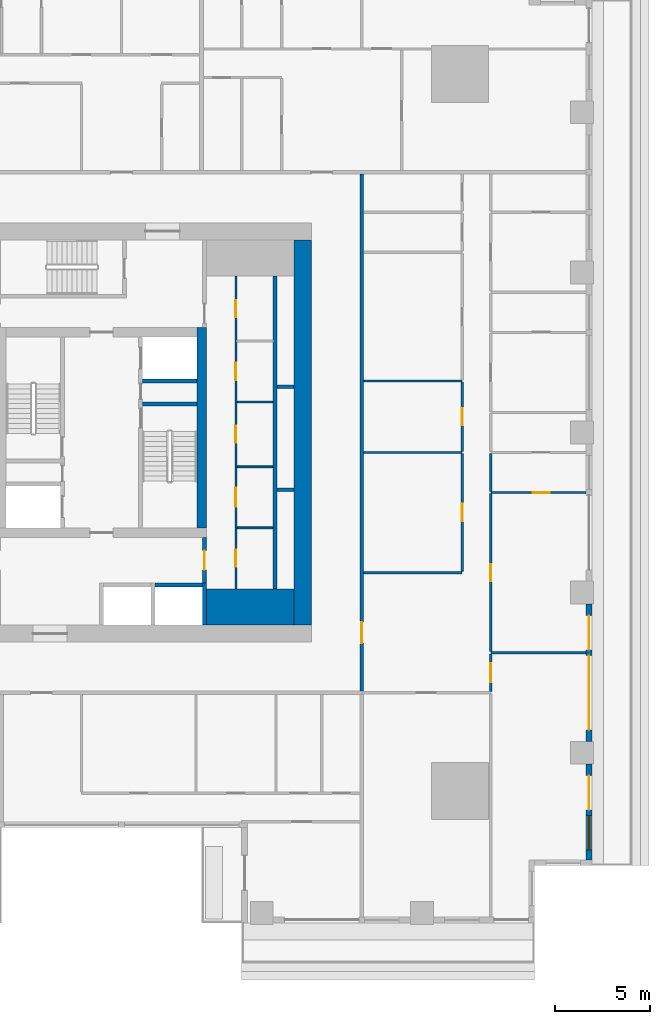
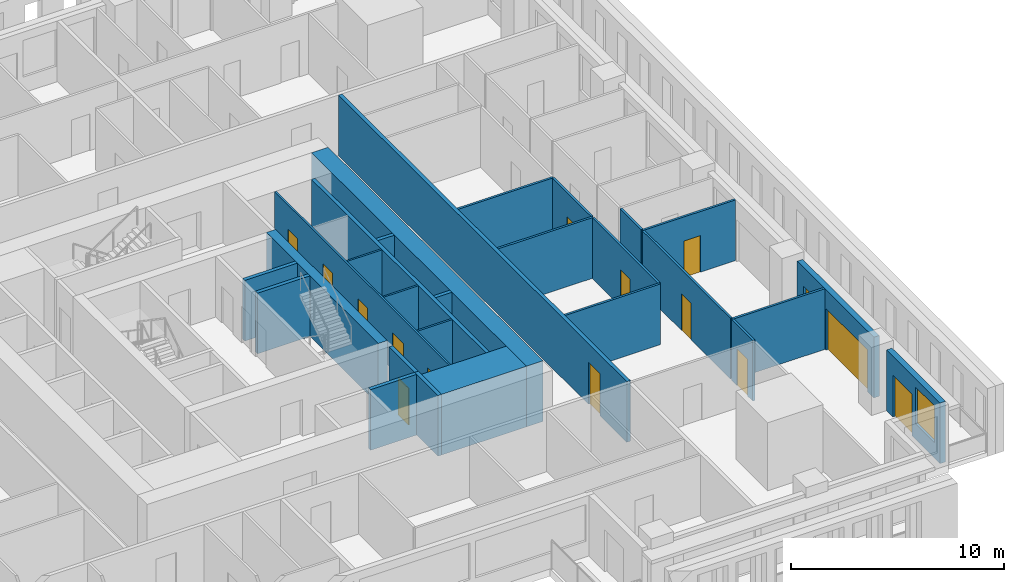
# One storey, part 5 of 15: 28 walls, 15 doors, 1 window, 16 openings.
"""IFC4 building model written with IfcOpenShell, lengths in metres."""

from ifc_helpers import new_model, si_unit, direction, frame, frame_2d, origin, place, context, subcontext, project, spatial, rectangle, extrude, material, layer, layer_set, type_object, element, fill, save


model = new_model("IFC4")

# Units and contexts
model_context = context("Model", 3, precision=1e-05, world=origin(), true_north=direction((0.0, 1.0)))
body_context = subcontext(model_context, "Body", "Model", "MODEL_VIEW")
ifc_project = project(units=[si_unit("LENGTHUNIT", "METRE"), si_unit("AREAUNIT", "SQUARE_METRE"), si_unit("VOLUMEUNIT", "CUBIC_METRE"), si_unit("PLANEANGLEUNIT", "RADIAN"), si_unit("MASSUNIT", "GRAM", prefix="KILO")], contexts=[model_context])

# Site, building, storey
site_placement = place(None, origin())
site = spatial("IfcSite", under=ifc_project, at=site_placement, CompositionType="ELEMENT")
building_placement = place(site_placement, origin())
building = spatial("IfcBuilding", under=site, at=building_placement, Name="Khepri Terraces", CompositionType="ELEMENT")
storey_placement = place(building_placement, frame((0.0, 0.0, 42.60009765625)))
storey = spatial("IfcBuildingStorey", under=building, at=storey_placement, Name="L09", CompositionType="ELEMENT", Elevation=42.60009765625)

# Walls
ifc_material_1 = material(Name="Concrete C80/95", Category="concrete")
ifc_layer_1 = layer(ifc_material_1, 1.89990234375, Name="Concrete C80/95", Category="concrete")
ifc_layer_set_1 = layer_set([ifc_layer_1], Name="Concrete C80/95")
wall_type_1 = type_object("IfcWallType", Name="Core wall 1900 C80/95", PredefinedType="SHEAR", material=ifc_layer_set_1)
wall_1_placement = place(storey_placement, frame((5.5, -9.14990234375, 0.0), z_axis=(0.0, 0.0, 1.0), x_axis=(1.0, 0.0, 0.0)))
element("IfcWall", 1, at=wall_1_placement, inside=storey, type_object=wall_type_1, Name="Core wall PR02 L09", PredefinedType="SHEAR", context=body_context, shape_type="SweptSolid", body=[
    extrude(rectangle(XDim=4.60009765625, YDim=1.89990234375, at=frame_2d((2.300048828125, 0.0))), origin(), (0.0, 0.0, 1.0), 3.47998046875),
])
ifc_layer_2 = layer(ifc_material_1, 0.199951171875, Name="Concrete C80/95", Category="concrete")
ifc_layer_set_2 = layer_set([ifc_layer_2], Name="Concrete C80/95")
wall_type_2 = type_object("IfcWallType", Name="Core wall 200 C80/95", PredefinedType="SHEAR", material=ifc_layer_set_2)
wall_2_placement = place(storey_placement, frame((2.14990234375, 1.5, 0.0), z_axis=(0.0, 0.0, 1.0), x_axis=(1.0, 0.0, 0.0)))
element("IfcWall", 2, at=wall_2_placement, inside=storey, type_object=wall_type_2, Name="Core wall ST04 L09", PredefinedType="SHEAR", context=body_context, shape_type="SweptSolid", body=[
    extrude(rectangle(XDim=2.85009765625, YDim=0.199951171875, at=frame_2d((1.425048828125, 0.0))), origin(), (0.0, 0.0, 1.0), 3.47998046875),
])
wall_3_placement = place(storey_placement, frame((5.39990234375, -10.10009765625, 0.0), z_axis=(0.0, 0.0, 1.0), x_axis=(0.0, 1.0, 0.0)))
element("IfcWall", 3, at=wall_3_placement, inside=storey, type_object=wall_type_2, Name="Core wall SH03 L09", PredefinedType="SHEAR", context=body_context, shape_type="SweptSolid", body=[
    extrude(rectangle(XDim=2.2001953125, YDim=0.199951171875, at=frame_2d((1.10009765625, 0.0))), origin(), (0.0, 0.0, 1.0), 3.47998046875),
])
wall_4_placement = place(storey_placement, frame((9.10009765625, -8.199951171875, 0.0), z_axis=(0.0, 0.0, 1.0), x_axis=(0.0, 1.0, 0.0)))
element("IfcWall", 4, at=wall_4_placement, inside=storey, type_object=wall_type_2, Name="Core wall SH05 L09", PredefinedType="SHEAR", context=body_context, shape_type="SweptSolid", body=[
    extrude(rectangle(XDim=16.39990234375, YDim=0.199951171875, at=frame_2d((8.199951171875, 0.0))), origin(), (0.0, 0.0, 1.0), 3.47998046875),
])
wall_5_placement = place(storey_placement, frame((2.800048828125, -8.0, 0.0), z_axis=(0.0, 0.0, 1.0), x_axis=(1.0, 0.0, 0.0)))
element("IfcWall", 5, at=wall_5_placement, inside=storey, type_object=wall_type_2, Name="Core wall SH07 L09", PredefinedType="SHEAR", context=body_context, shape_type="SweptSolid", body=[
    extrude(rectangle(XDim=2.5, YDim=0.199951171875, at=frame_2d((1.25, 0.0))), origin(), (0.0, 0.0, 1.0), 3.47998046875),
])
for number, where, z_axis, x_axis, name in (
    (6, (9.199951171875, -3.0, 0.0), (0.0, 0.0, 1.0), (1.0, 0.0, 0.0), "Core wall SH11 L09"),
    (7, (9.199951171875, 2.39990234375, 0.0), (0.0, 0.0, 1.0), (1.0, 0.0, 0.0), "Core wall SH16 L09"),
):
    element("IfcWall", number, at=place(storey_placement, frame(where, z_axis=z_axis, x_axis=x_axis)), inside=storey, type_object=wall_type_2, Name=name, PredefinedType="SHEAR", context=body_context, shape_type="SweptSolid", body=[
        extrude(rectangle(XDim=0.900146484375, YDim=0.199951171875, at=frame_2d((0.4501953125, 0.0))), origin(), (0.0, 0.0, 1.0), 3.47998046875),
    ])
wall_6_placement = place(storey_placement, frame((2.14990234375, 2.699951171875, 0.0), z_axis=(0.0, 0.0, 1.0), x_axis=(1.0, 0.0, 0.0)))
element("IfcWall", 8, at=wall_6_placement, inside=storey, type_object=wall_type_2, Name="Core wall SH18 L09", PredefinedType="SHEAR", context=body_context, shape_type="SweptSolid", body=[
    extrude(rectangle(XDim=2.85009765625, YDim=0.199951171875, at=frame_2d((1.425048828125, 0.0))), origin(), (0.0, 0.0, 1.0), 3.47998046875),
])
ifc_layer_3 = layer(ifc_material_1, 0.5, Name="Concrete C80/95", Category="concrete")
ifc_layer_set_3 = layer_set([ifc_layer_3], Name="Concrete C80/95")
wall_type_3 = type_object("IfcWallType", Name="Core wall 500 C80/95", PredefinedType="SHEAR", material=ifc_layer_set_3)
wall_7_placement = place(storey_placement, frame((5.25, -5.0, 0.0), z_axis=(0.0, 0.0, 1.0), x_axis=(0.0, 1.0, 0.0)))
element("IfcWall", 9, at=wall_7_placement, inside=storey, type_object=wall_type_3, Name="Core wall BX03 L09", PredefinedType="SHEAR", context=body_context, shape_type="SweptSolid", body=[
    extrude(rectangle(XDim=10.5, YDim=0.5, at=frame_2d((5.25, 0.0))), origin(), (0.0, 0.0, 1.0), 3.47998046875),
])
ifc_layer_4 = layer(ifc_material_1, 0.89990234375, Name="Concrete C80/95", Category="concrete")
ifc_layer_set_4 = layer_set([ifc_layer_4], Name="Concrete C80/95")
wall_type_4 = type_object("IfcWallType", Name="Core wall 900 C80/95", PredefinedType="SHEAR", material=ifc_layer_set_4)
wall_8_placement = place(storey_placement, frame((10.550048828125, -10.10009765625, 0.0), z_axis=(0.0, 0.0, 1.0), x_axis=(0.0, 1.0, 0.0)))
element("IfcWall", 10, at=wall_8_placement, inside=storey, type_object=wall_type_4, Name="Core wall OW-E L09", PredefinedType="SHEAR", context=body_context, shape_type="SweptSolid", body=[
    extrude(rectangle(XDim=20.2001953125, YDim=0.89990234375, at=frame_2d((10.10009765625, 0.0))), origin(), (0.0, 0.0, 1.0), 3.47998046875),
])

# Wall, openings, doors
ifc_material_2 = material(Name="Fire-rated gypsum board partition")
ifc_layer_5 = layer(ifc_material_2, 0.10009765625, Name="Fire-rated gypsum board partition")
ifc_layer_set_5 = layer_set([ifc_layer_5], Name="Fire-rated gypsum board partition")
wall_type_5 = type_object("IfcWallType", Name="WL-CORE-PART-100", PredefinedType="PARTITIONING", material=ifc_layer_set_5)
wall_9_placement = place(storey_placement, frame((7.050048828125, -8.199951171875, 0.0), z_axis=(0.0, 0.0, 1.0), x_axis=(0.0, 1.0, 0.0)))
wall_9 = element("IfcWall", 11, at=wall_9_placement, inside=storey, type_object=wall_type_5, Name="Core partition PT02 L09", PredefinedType="PARTITIONING", context=body_context, shape_type="SweptSolid", body=[
    extrude(rectangle(XDim=16.39990234375, YDim=0.10009765625, at=frame_2d((8.199951171875, 0.0))), origin(), (0.0, 0.0, 1.0), 3.47998046875),
])
opening_1_placement = place(wall_9_placement, frame((1.14990234375, 0.0, 0.0)))
opening_1 = element("IfcOpeningElement", 12, at=opening_1_placement, cuts=wall_9, Name="Opening L09-C22", PredefinedType="OPENING", context=body_context, shape_type="SweptSolid", body=[
    extrude(rectangle(XDim=0.89990234375, YDim=2.10009765625, at=frame_2d((0.449951171875, 1.050048828125))), frame((0.0, 0.06005859375, 0.0), z_axis=(0.0, -1.0, 0.0), x_axis=(1.0, 0.0, 0.0)), (0.0, 0.0, 1.0), 0.1201171875),
])
opening_2_placement = place(wall_9_placement, frame((4.300048828125, 0.0, 0.0)))
opening_2 = element("IfcOpeningElement", 13, at=opening_2_placement, cuts=wall_9, Name="Opening L09-C23", PredefinedType="OPENING", context=body_context, shape_type="SweptSolid", body=[
    extrude(rectangle(XDim=1.0, YDim=2.10009765625, at=frame_2d((0.5, 1.050048828125))), frame((0.0, 0.06005859375, 0.0), z_axis=(0.0, -1.0, 0.0), x_axis=(1.0, 0.0, 0.0)), (0.0, 0.0, 1.0), 0.1201171875),
])
opening_3_placement = place(wall_9_placement, frame((7.64990234375, 0.0, 0.0)))
opening_3 = element("IfcOpeningElement", 14, at=opening_3_placement, cuts=wall_9, Name="Opening L09-C24", PredefinedType="OPENING", context=body_context, shape_type="SweptSolid", body=[
    extrude(rectangle(XDim=0.89990234375, YDim=2.10009765625, at=frame_2d((0.449951171875, 1.050048828125))), frame((0.0, 0.06005859375, 0.0), z_axis=(0.0, -1.0, 0.0), x_axis=(1.0, 0.0, 0.0)), (0.0, 0.0, 1.0), 0.1201171875),
])
opening_4_placement = place(wall_9_placement, frame((10.949951171875, 0.0, 0.0)))
opening_4 = element("IfcOpeningElement", 15, at=opening_4_placement, cuts=wall_9, Name="Opening L09-C25", PredefinedType="OPENING", context=body_context, shape_type="SweptSolid", body=[
    extrude(rectangle(XDim=0.89990234375, YDim=2.10009765625, at=frame_2d((0.449951171875, 1.050048828125))), frame((0.0, 0.06005859375, 0.0), z_axis=(0.0, -1.0, 0.0), x_axis=(1.0, 0.0, 0.0)), (0.0, 0.0, 1.0), 0.1201171875),
])
opening_5_placement = place(wall_9_placement, frame((14.25, 0.0, 0.0)))
opening_5 = element("IfcOpeningElement", 16, at=opening_5_placement, cuts=wall_9, Name="Opening L09-C26", PredefinedType="OPENING", context=body_context, shape_type="SweptSolid", body=[
    extrude(rectangle(XDim=0.89990234375, YDim=2.10009765625, at=frame_2d((0.449951171875, 1.050048828125))), frame((0.0, 0.06005859375, 0.0), z_axis=(0.0, -1.0, 0.0), x_axis=(1.0, 0.0, 0.0)), (0.0, 0.0, 1.0), 0.1201171875),
])
ifc_material_3 = material(Name="Painted steel", Category="steel")
door_type_1 = type_object("IfcDoorType", Name="DR-CORE-SERVICE-900", OperationType="NOTDEFINED", PredefinedType="DOOR", material=ifc_material_3)
door_1_placement = place(opening_1_placement, frame((0.89990234375, 0.0, 0.0), z_axis=(0.0, 0.0, 1.0), x_axis=(-1.0, 0.0, 0.0)))
door_1 = element("IfcDoor", 17, at=door_1_placement, inside=storey, type_object=door_type_1, Name="Service room door L09-C22", OperationType="SINGLE_SWING_RIGHT", OverallHeight=2.10009765625, OverallWidth=0.89990234375, PredefinedType="DOOR", context=body_context, shape_type="SweptSolid", body=[
    extrude(rectangle(XDim=0.89990234375, YDim=2.10009765625, at=frame_2d((0.449951171875, 1.050048828125))), frame((0.0, 0.02490234375, 0.0), z_axis=(0.0, -1.0, 0.0), x_axis=(1.0, 0.0, 0.0)), (0.0, 0.0, 1.0), 0.050048828125),
])
fill(opening_1, door_1)
door_2_placement = place(opening_3_placement, frame((0.89990234375, 0.0, 0.0), z_axis=(0.0, 0.0, 1.0), x_axis=(-1.0, 0.0, 0.0)))
door_2 = element("IfcDoor", 18, at=door_2_placement, inside=storey, type_object=door_type_1, Name="Service room door L09-C24", OperationType="SINGLE_SWING_RIGHT", OverallHeight=2.10009765625, OverallWidth=0.89990234375, PredefinedType="DOOR", context=body_context, shape_type="SweptSolid", body=[
    extrude(rectangle(XDim=0.89990234375, YDim=2.10009765625, at=frame_2d((0.449951171875, 1.050048828125))), frame((0.0, 0.02490234375, 0.0), z_axis=(0.0, -1.0, 0.0), x_axis=(1.0, 0.0, 0.0)), (0.0, 0.0, 1.0), 0.050048828125),
])
fill(opening_3, door_2)
door_3_placement = place(opening_4_placement, frame((0.89990234375, 0.0, 0.0), z_axis=(0.0, 0.0, 1.0), x_axis=(-1.0, 0.0, 0.0)))
door_3 = element("IfcDoor", 19, at=door_3_placement, inside=storey, type_object=door_type_1, Name="Service room door L09-C25", OperationType="SINGLE_SWING_LEFT", OverallHeight=2.10009765625, OverallWidth=0.89990234375, PredefinedType="DOOR", context=body_context, shape_type="SweptSolid", body=[
    extrude(rectangle(XDim=0.89990234375, YDim=2.10009765625, at=frame_2d((0.449951171875, 1.050048828125))), frame((0.0, 0.02490234375, 0.0), z_axis=(0.0, -1.0, 0.0), x_axis=(1.0, 0.0, 0.0)), (0.0, 0.0, 1.0), 0.050048828125),
])
fill(opening_4, door_3)
door_4_placement = place(opening_5_placement, frame((0.89990234375, 0.0, 0.0), z_axis=(0.0, 0.0, 1.0), x_axis=(-1.0, 0.0, 0.0)))
door_4 = element("IfcDoor", 20, at=door_4_placement, inside=storey, type_object=door_type_1, Name="Service room door L09-C26", OperationType="SINGLE_SWING_LEFT", OverallHeight=2.10009765625, OverallWidth=0.89990234375, PredefinedType="DOOR", context=body_context, shape_type="SweptSolid", body=[
    extrude(rectangle(XDim=0.89990234375, YDim=2.10009765625, at=frame_2d((0.449951171875, 1.050048828125))), frame((0.0, 0.02490234375, 0.0), z_axis=(0.0, -1.0, 0.0), x_axis=(1.0, 0.0, 0.0)), (0.0, 0.0, 1.0), 0.050048828125),
])
fill(opening_5, door_4)
ifc_material_4 = material(Name="Timber veneer", Category="wood")
door_type_2 = type_object("IfcDoorType", Name="DR-CORE-WC-1000", OperationType="NOTDEFINED", PredefinedType="DOOR", material=ifc_material_4)
door_5_placement = place(opening_2_placement, frame((1.0, 0.0, 0.0), z_axis=(0.0, 0.0, 1.0), x_axis=(-1.0, 0.0, 0.0)))
door_5 = element("IfcDoor", 21, at=door_5_placement, inside=storey, type_object=door_type_2, Name="WC door L09-C23", OperationType="SINGLE_SWING_RIGHT", OverallHeight=2.10009765625, OverallWidth=1.0, PredefinedType="DOOR", context=body_context, shape_type="SweptSolid", body=[
    extrude(rectangle(XDim=1.0, YDim=2.10009765625, at=frame_2d((0.5, 1.050048828125))), frame((0.0, 0.02490234375, 0.0), z_axis=(0.0, -1.0, 0.0), x_axis=(1.0, 0.0, 0.0)), (0.0, 0.0, 1.0), 0.050048828125),
])
fill(opening_2, door_5)

# Walls
for number, where, z_axis, x_axis, name in (
    (22, (7.10009765625, -5.0, 0.0), (0.0, 0.0, 1.0), (1.0, 0.0, 0.0), "Core partition PT04 L09"),
    (23, (7.10009765625, -1.800048828125, 0.0), (0.0, 0.0, 1.0), (1.0, 0.0, 0.0), "Core partition PT05 L09"),
    (24, (7.10009765625, 1.60009765625, 0.0), (0.0, 0.0, 1.0), (1.0, 0.0, 0.0), "Core partition PT06 L09"),
):
    element("IfcWall", number, at=place(storey_placement, frame(where, z_axis=z_axis, x_axis=x_axis)), inside=storey, type_object=wall_type_5, Name=name, PredefinedType="PARTITIONING", context=body_context, shape_type="SweptSolid", body=[
        extrude(rectangle(XDim=1.89990234375, YDim=0.10009765625, at=frame_2d((0.949951171875, 0.0))), origin(), (0.0, 0.0, 1.0), 3.47998046875),
    ])

# Wall, opening, door
ifc_layer_6 = layer(ifc_material_2, 0.199951171875, Name="Fire-rated gypsum board partition")
ifc_layer_set_6 = layer_set([ifc_layer_6], Name="Fire-rated gypsum board partition")
wall_type_6 = type_object("IfcWallType", Name="WL-CORE-PART-200", PredefinedType="PARTITIONING", material=ifc_layer_set_6)
wall_10_placement = place(storey_placement, frame((5.39990234375, -7.89990234375, 0.0), z_axis=(0.0, 0.0, 1.0), x_axis=(0.0, 1.0, 0.0)))
wall_10 = element("IfcWall", 25, at=wall_10_placement, inside=storey, type_object=wall_type_6, Name="Core partition PT03 L09", PredefinedType="PARTITIONING", context=body_context, shape_type="SweptSolid", body=[
    extrude(rectangle(XDim=2.39990234375, YDim=0.199951171875, at=frame_2d((1.199951171875, 0.0))), origin(), (0.0, 0.0, 1.0), 3.47998046875),
])
opening_6_placement = place(wall_10_placement, frame((0.699951171875, 0.0, 0.0)))
opening_6 = element("IfcOpeningElement", 26, at=opening_6_placement, cuts=wall_10, Name="Opening L09-C19", PredefinedType="OPENING", context=body_context, shape_type="SweptSolid", body=[
    extrude(rectangle(XDim=1.0, YDim=2.10009765625, at=frame_2d((0.5, 1.050048828125))), frame((0.0, 0.10986328125, 0.0), z_axis=(0.0, -1.0, 0.0), x_axis=(1.0, 0.0, 0.0)), (0.0, 0.0, 1.0), 0.219970703125),
])
door_type_3 = type_object("IfcDoorType", Name="DR-CORE-LOBBY-1000", OperationType="NOTDEFINED", PredefinedType="DOOR", material=ifc_material_3)
door_6_placement = place(opening_6_placement, origin())
door_6 = element("IfcDoor", 27, at=door_6_placement, inside=storey, type_object=door_type_3, Name="Lobby door L09-C19", OperationType="SINGLE_SWING_RIGHT", OverallHeight=2.10009765625, OverallWidth=1.0, PredefinedType="DOOR", context=body_context, shape_type="SweptSolid", body=[
    extrude(rectangle(XDim=1.0, YDim=2.10009765625, at=frame_2d((0.5, 1.050048828125))), frame((0.0, 0.02490234375, 0.0), z_axis=(0.0, -1.0, 0.0), x_axis=(1.0, 0.0, 0.0)), (0.0, 0.0, 1.0), 0.050048828125),
])
fill(opening_6, door_6)

ifc_material_5 = material(Name="Fire-rated gypsum plasterboard partition, mineral wool")
ifc_layer_7 = layer(ifc_material_5, 0.199951171875, Name="Fire-rated gypsum plasterboard partition, mineral wool")
ifc_layer_set_7 = layer_set([ifc_layer_7], Name="Fire-rated gypsum plasterboard partition, mineral wool")
wall_type_7 = type_object("IfcWallType", Name="WL-CORR-200", PredefinedType="PARTITIONING", material=ifc_layer_set_7)
wall_11_placement = place(storey_placement, frame((13.64990234375, -13.550048828125, 0.0), z_axis=(0.0, 0.0, 1.0), x_axis=(0.0, 1.0, 0.0)))
wall_11 = element("IfcWall", 28, at=wall_11_placement, inside=storey, type_object=wall_type_7, Name="Partition P-024 L09", PredefinedType="PARTITIONING", context=body_context, shape_type="SweptSolid", body=[
    extrude(rectangle(XDim=27.10009765625, YDim=0.199951171875, at=frame_2d((13.550048828125, 0.0))), origin(), (0.0, 0.0, 1.0), 3.47998046875),
])
opening_7_placement = place(wall_11_placement, frame((2.5, 0.0, 0.0)))
opening_7 = element("IfcOpeningElement", 29, at=opening_7_placement, cuts=wall_11, Name="Opening D1", PredefinedType="OPENING", context=body_context, shape_type="SweptSolid", body=[
    extrude(rectangle(XDim=1.10009765625, YDim=2.39990234375, at=frame_2d((0.550048828125, 1.199951171875))), frame((0.0, 0.10986328125, 0.0), z_axis=(0.0, -1.0, 0.0), x_axis=(1.0, 0.0, 0.0)), (0.0, 0.0, 1.0), 0.219970703125),
])
ifc_material_6 = material(Name="Solid-core timber door leaf, flat entrance door", Category="wood")
door_type_4 = type_object("IfcDoorType", Name="DR-ENT-1100", OperationType="NOTDEFINED", PredefinedType="DOOR", material=ifc_material_6)
door_7_placement = place(opening_7_placement, frame((1.10009765625, 0.0, 0.0), z_axis=(0.0, 0.0, 1.0), x_axis=(-1.0, 0.0, 0.0)))
door_7 = element("IfcDoor", 30, at=door_7_placement, inside=storey, type_object=door_type_4, Name="Flat B1 entrance door", OperationType="SINGLE_SWING_RIGHT", OverallHeight=2.39990234375, OverallWidth=1.10009765625, PredefinedType="DOOR", context=body_context, shape_type="SweptSolid", body=[
    extrude(rectangle(XDim=1.10009765625, YDim=2.39990234375, at=frame_2d((0.550048828125, 1.199951171875))), frame((0.0, 0.02490234375, 0.0), z_axis=(0.0, -1.0, 0.0), x_axis=(1.0, 0.0, 0.0)), (0.0, 0.0, 1.0), 0.050048828125),
])
fill(opening_7, door_7)

# Wall, openings, door, window
ifc_material_7 = material(Name="Precast concrete C50/60 warm stone", Category="masonry")
ifc_layer_8 = layer(ifc_material_7, 0.300048828125, Name="Precast concrete C50/60 warm stone", Category="masonry")
ifc_layer_set_8 = layer_set([ifc_layer_8], Name="Precast concrete C50/60 warm stone")
wall_type_8 = type_object("IfcWallType", Name="WL-EXT-PRECAST-300", PredefinedType="STANDARD", material=ifc_layer_set_8)
wall_12_placement = place(storey_placement, frame((25.570068359375, -22.419921875, 0.0), z_axis=(0.0, 0.0, 1.0), x_axis=(0.0, 1.0, 0.0)))
wall_12 = element("IfcWall", 31, at=wall_12_placement, inside=storey, type_object=wall_type_8, Name="External wall L09 E", PredefinedType="STANDARD", context=body_context, shape_type="SweptSolid", body=[
    extrude(rectangle(XDim=5.02001953125, YDim=0.300048828125, at=frame_2d((2.510009765625, 0.0))), origin(), (0.0, 0.0, 1.0), 3.47998046875),
])
opening_8_placement = place(wall_12_placement, frame((0.52001953125, 0.0, 0.89990234375)))
opening_8 = element("IfcOpeningElement", 32, at=opening_8_placement, cuts=wall_12, Name="Opening W1", PredefinedType="OPENING", context=body_context, shape_type="SweptSolid", body=[
    extrude(rectangle(XDim=1.800048828125, YDim=2.10009765625, at=frame_2d((0.89990234375, 1.050048828125))), frame((0.0, 0.16015625, 0.0), z_axis=(0.0, -1.0, 0.0), x_axis=(1.0, 0.0, 0.0)), (0.0, 0.0, 1.0), 0.320068359375),
])
opening_9_placement = place(wall_12_placement, frame((2.6201171875, 0.0, 0.0)))
opening_9 = element("IfcOpeningElement", 33, at=opening_9_placement, cuts=wall_12, Name="Opening ED-L09-01", PredefinedType="OPENING", context=body_context, shape_type="SweptSolid", body=[
    extrude(rectangle(XDim=1.800048828125, YDim=2.39990234375, at=frame_2d((0.89990234375, 1.199951171875))), frame((0.0, 0.16015625, 0.0), z_axis=(0.0, -1.0, 0.0), x_axis=(1.0, 0.0, 0.0)), (0.0, 0.0, 1.0), 0.320068359375),
])
ifc_material_8 = material(Name="Anodised aluminium bronze glazed door", Category="aluminium")
door_type_5 = type_object("IfcDoorType", Name="DR-BAL-SLIDE-1800x2400", OperationType="NOTDEFINED", PredefinedType="DOOR", material=ifc_material_8)
door_8_placement = place(opening_9_placement, origin())
door_8 = element("IfcDoor", 34, at=door_8_placement, inside=storey, type_object=door_type_5, Name="Balcony door L09 E", OperationType="SLIDING_TO_RIGHT", OverallHeight=2.39990234375, OverallWidth=1.800048828125, PredefinedType="DOOR", context=body_context, shape_type="SweptSolid", body=[
    extrude(rectangle(XDim=1.800048828125, YDim=2.39990234375, at=frame_2d((0.89990234375, 1.199951171875))), frame((0.0, 0.02490234375, 0.0), z_axis=(0.0, -1.0, 0.0), x_axis=(1.0, 0.0, 0.0)), (0.0, 0.0, 1.0), 0.050048828125),
])
fill(opening_9, door_8)
ifc_material_9 = material(Name="Clear glass", Category="glass")
window_type = type_object("IfcWindowType", Name="WIN-RES-1800x2100", PartitioningType="SINGLE_PANEL", PredefinedType="WINDOW", material=ifc_material_9)
window_placement = place(opening_8_placement, origin())
window = element("IfcWindow", 35, at=window_placement, inside=storey, type_object=window_type, Name="Window L09 E", OverallHeight=2.10009765625, OverallWidth=1.800048828125, PartitioningType="SINGLE_PANEL", PredefinedType="WINDOW", context=body_context, shape_type="SweptSolid", body=[
    extrude(rectangle(XDim=1.800048828125, YDim=2.10009765625, at=frame_2d((0.89990234375, 1.050048828125))), frame((0.0, 0.030029296875, 0.0), z_axis=(0.0, -1.0, 0.0), x_axis=(1.0, 0.0, 0.0)), (0.0, 0.0, 1.0), 0.06005859375),
])
fill(opening_8, window)

# Wall, openings, doors
wall_13_placement = place(storey_placement, frame((25.570068359375, -16.199951171875, 0.0), z_axis=(0.0, 0.0, 1.0), x_axis=(0.0, 1.0, 0.0)))
wall_13 = element("IfcWall", 36, at=wall_13_placement, inside=storey, type_object=wall_type_8, Name="External wall L09 E", PredefinedType="STANDARD", context=body_context, shape_type="SweptSolid", body=[
    extrude(rectangle(XDim=7.199951171875, YDim=0.300048828125, at=frame_2d((3.60009765625, 0.0))), origin(), (0.0, 0.0, 1.0), 3.47998046875),
])
opening_10_placement = place(wall_13_placement, frame((0.60009765625, 0.0, 0.0)))
opening_10 = element("IfcOpeningElement", 37, at=opening_10_placement, cuts=wall_13, Name="Opening ED-L09-02", PredefinedType="OPENING", context=body_context, shape_type="SweptSolid", body=[
    extrude(rectangle(XDim=3.89990234375, YDim=2.39990234375, at=frame_2d((1.949951171875, 1.199951171875))), frame((0.0, 0.16015625, 0.0), z_axis=(0.0, -1.0, 0.0), x_axis=(1.0, 0.0, 0.0)), (0.0, 0.0, 1.0), 0.320068359375),
])
opening_11_placement = place(wall_13_placement, frame((4.800048828125, 0.0, 0.0)))
opening_11 = element("IfcOpeningElement", 38, at=opening_11_placement, cuts=wall_13, Name="Opening ED-L09-03", PredefinedType="OPENING", context=body_context, shape_type="SweptSolid", body=[
    extrude(rectangle(XDim=1.800048828125, YDim=2.39990234375, at=frame_2d((0.89990234375, 1.199951171875))), frame((0.0, 0.16015625, 0.0), z_axis=(0.0, -1.0, 0.0), x_axis=(1.0, 0.0, 0.0)), (0.0, 0.0, 1.0), 0.320068359375),
])
door_9_placement = place(opening_11_placement, origin())
door_9 = element("IfcDoor", 39, at=door_9_placement, inside=storey, type_object=door_type_5, Name="Balcony door L09 E", OperationType="SLIDING_TO_RIGHT", OverallHeight=2.39990234375, OverallWidth=1.800048828125, PredefinedType="DOOR", context=body_context, shape_type="SweptSolid", body=[
    extrude(rectangle(XDim=1.800048828125, YDim=2.39990234375, at=frame_2d((0.89990234375, 1.199951171875))), frame((0.0, 0.02490234375, 0.0), z_axis=(0.0, -1.0, 0.0), x_axis=(1.0, 0.0, 0.0)), (0.0, 0.0, 1.0), 0.050048828125),
])
fill(opening_11, door_9)
door_type_6 = type_object("IfcDoorType", Name="DR-BAL-SLIDE-3900x2400", OperationType="NOTDEFINED", PredefinedType="DOOR", material=ifc_material_8)
door_10_placement = place(opening_10_placement, origin())
door_10 = element("IfcDoor", 40, at=door_10_placement, inside=storey, type_object=door_type_6, Name="Balcony door L09 E", OperationType="SLIDING_TO_LEFT", OverallHeight=2.39990234375, OverallWidth=3.89990234375, PredefinedType="DOOR", context=body_context, shape_type="SweptSolid", body=[
    extrude(rectangle(XDim=3.89990234375, YDim=2.39990234375, at=frame_2d((1.949951171875, 1.199951171875))), frame((0.0, 0.02490234375, 0.0), z_axis=(0.0, -1.0, 0.0), x_axis=(1.0, 0.0, 0.0)), (0.0, 0.0, 1.0), 0.050048828125),
])
fill(opening_10, door_10)

# Wall, opening, door
ifc_material_10 = material(Name="Gypsum plasterboard partition")
ifc_layer_9 = layer(ifc_material_10, 0.1201171875, Name="Gypsum plasterboard partition")
ifc_layer_set_9 = layer_set([ifc_layer_9], Name="Gypsum plasterboard partition")
wall_type_9 = type_object("IfcWallType", Name="WL-PART-120", PredefinedType="PARTITIONING", material=ifc_layer_set_9)
wall_14_placement = place(storey_placement, frame((20.419921875, -13.590087890625, 0.0), z_axis=(0.0, 0.0, 1.0), x_axis=(0.0, 1.0, 0.0)))
wall_14 = element("IfcWall", 41, at=wall_14_placement, inside=storey, type_object=wall_type_9, Name="Partition P-020 L09", PredefinedType="PARTITIONING", context=body_context, shape_type="SweptSolid", body=[
    extrude(rectangle(XDim=1.97998046875, YDim=0.1201171875, at=frame_2d((0.989990234375, 0.0))), origin(), (0.0, 0.0, 1.0), 3.47998046875),
])
opening_12_placement = place(wall_14_placement, frame((0.489990234375, 0.0, 0.0)))
opening_12 = element("IfcOpeningElement", 42, at=opening_12_placement, cuts=wall_14, Name="Opening D2", PredefinedType="OPENING", context=body_context, shape_type="SweptSolid", body=[
    extrude(rectangle(XDim=1.0, YDim=2.10009765625, at=frame_2d((0.5, 1.050048828125))), frame((0.0, 0.070068359375, 0.0), z_axis=(0.0, -1.0, 0.0), x_axis=(1.0, 0.0, 0.0)), (0.0, 0.0, 1.0), 0.14013671875),
])
ifc_material_11 = material(Name="Timber door leaf, living room door", Category="wood")
door_type_7 = type_object("IfcDoorType", Name="DR-INT-1000", OperationType="NOTDEFINED", PredefinedType="DOOR", material=ifc_material_11)
door_11_placement = place(opening_12_placement, frame((1.0, 0.0, 0.0), z_axis=(0.0, 0.0, 1.0), x_axis=(-1.0, 0.0, 0.0)))
door_11 = element("IfcDoor", 43, at=door_11_placement, inside=storey, type_object=door_type_7, Name="Door Living Room", OperationType="SINGLE_SWING_RIGHT", OverallHeight=2.10009765625, OverallWidth=1.0, PredefinedType="DOOR", context=body_context, shape_type="SweptSolid", body=[
    extrude(rectangle(XDim=1.0, YDim=2.10009765625, at=frame_2d((0.5, 1.050048828125))), frame((0.0, 0.02490234375, 0.0), z_axis=(0.0, -1.0, 0.0), x_axis=(1.0, 0.0, 0.0)), (0.0, 0.0, 1.0), 0.050048828125),
])
fill(opening_12, door_11)

# Wall
wall_15_placement = place(storey_placement, frame((20.419921875, -11.550048828125, 0.0), z_axis=(0.0, 0.0, 1.0), x_axis=(1.0, 0.0, 0.0)))
element("IfcWall", 44, at=wall_15_placement, inside=storey, type_object=wall_type_9, Name="Partition P-026 L09", PredefinedType="PARTITIONING", context=body_context, shape_type="SweptSolid", body=[
    extrude(rectangle(XDim=5.0, YDim=0.1201171875, at=frame_2d((2.5, 0.0))), origin(), (0.0, 0.0, 1.0), 3.47998046875),
])

# Wall, opening, door
wall_16_placement = place(storey_placement, frame((20.419921875, -11.489990234375, 0.0), z_axis=(0.0, 0.0, 1.0), x_axis=(0.0, 1.0, 0.0)))
wall_16 = element("IfcWall", 45, at=wall_16_placement, inside=storey, type_object=wall_type_9, Name="Partition P-028 L09", PredefinedType="PARTITIONING", context=body_context, shape_type="SweptSolid", body=[
    extrude(rectangle(XDim=8.280029296875, YDim=0.1201171875, at=frame_2d((4.14013671875, 0.0))), origin(), (0.0, 0.0, 1.0), 3.47998046875),
])
opening_13_placement = place(wall_16_placement, frame((3.68994140625, 0.0, 0.0)))
opening_13 = element("IfcOpeningElement", 46, at=opening_13_placement, cuts=wall_16, Name="Opening D3", PredefinedType="OPENING", context=body_context, shape_type="SweptSolid", body=[
    extrude(rectangle(XDim=0.89990234375, YDim=2.10009765625, at=frame_2d((0.449951171875, 1.050048828125))), frame((0.0, 0.070068359375, 0.0), z_axis=(0.0, -1.0, 0.0), x_axis=(1.0, 0.0, 0.0)), (0.0, 0.0, 1.0), 0.14013671875),
])
ifc_material_12 = material(Name="Timber door leaf", Category="wood")
door_type_8 = type_object("IfcDoorType", Name="DR-INT-900", OperationType="NOTDEFINED", PredefinedType="DOOR", material=ifc_material_12)
door_12_placement = place(opening_13_placement, frame((0.89990234375, 0.0, 0.0), z_axis=(0.0, 0.0, 1.0), x_axis=(-1.0, 0.0, 0.0)))
door_12 = element("IfcDoor", 47, at=door_12_placement, inside=storey, type_object=door_type_8, Name="Door Master Bedroom", OperationType="SINGLE_SWING_RIGHT", OverallHeight=2.10009765625, OverallWidth=0.89990234375, PredefinedType="DOOR", context=body_context, shape_type="SweptSolid", body=[
    extrude(rectangle(XDim=0.89990234375, YDim=2.10009765625, at=frame_2d((0.449951171875, 1.050048828125))), frame((0.0, 0.02490234375, 0.0), z_axis=(0.0, -1.0, 0.0), x_axis=(1.0, 0.0, 0.0)), (0.0, 0.0, 1.0), 0.050048828125),
])
fill(opening_13, door_12)

# Wall
wall_17_placement = place(storey_placement, frame((13.75, -7.35009765625, 0.0), z_axis=(0.0, 0.0, 1.0), x_axis=(1.0, 0.0, 0.0)))
element("IfcWall", 48, at=wall_17_placement, inside=storey, type_object=wall_type_9, Name="Partition P-033 L09", PredefinedType="PARTITIONING", context=body_context, shape_type="SweptSolid", body=[
    extrude(rectangle(XDim=5.169921875, YDim=0.1201171875, at=frame_2d((2.5849609375, 0.0))), origin(), (0.0, 0.0, 1.0), 3.47998046875),
])

# Wall, opening, door
wall_18_placement = place(storey_placement, frame((18.919921875, -7.2900390625, 0.0), z_axis=(0.0, 0.0, 1.0), x_axis=(0.0, 1.0, 0.0)))
wall_18 = element("IfcWall", 49, at=wall_18_placement, inside=storey, type_object=wall_type_9, Name="Partition P-036 L09", PredefinedType="PARTITIONING", context=body_context, shape_type="SweptSolid", body=[
    extrude(rectangle(XDim=6.179931640625, YDim=0.1201171875, at=frame_2d((3.08984375, 0.0))), origin(), (0.0, 0.0, 1.0), 3.47998046875),
])
opening_14_placement = place(wall_18_placement, frame((2.639892578125, 0.0, 0.0)))
opening_14 = element("IfcOpeningElement", 50, at=opening_14_placement, cuts=wall_18, Name="Opening D3", PredefinedType="OPENING", context=body_context, shape_type="SweptSolid", body=[
    extrude(rectangle(XDim=0.89990234375, YDim=2.10009765625, at=frame_2d((0.449951171875, 1.050048828125))), frame((0.0, 0.070068359375, 0.0), z_axis=(0.0, -1.0, 0.0), x_axis=(1.0, 0.0, 0.0)), (0.0, 0.0, 1.0), 0.14013671875),
])
door_13_placement = place(opening_14_placement, origin())
door_13 = element("IfcDoor", 51, at=door_13_placement, inside=storey, type_object=door_type_8, Name="Door Kitchen", OperationType="SINGLE_SWING_RIGHT", OverallHeight=2.10009765625, OverallWidth=0.89990234375, PredefinedType="DOOR", context=body_context, shape_type="SweptSolid", body=[
    extrude(rectangle(XDim=0.89990234375, YDim=2.10009765625, at=frame_2d((0.449951171875, 1.050048828125))), frame((0.0, 0.02490234375, 0.0), z_axis=(0.0, -1.0, 0.0), x_axis=(1.0, 0.0, 0.0)), (0.0, 0.0, 1.0), 0.050048828125),
])
fill(opening_14, door_13)

wall_19_placement = place(storey_placement, frame((20.419921875, -3.14990234375, 0.0), z_axis=(0.0, 0.0, 1.0), x_axis=(1.0, 0.0, 0.0)))
wall_19 = element("IfcWall", 52, at=wall_19_placement, inside=storey, type_object=wall_type_9, Name="Partition P-040 L09", PredefinedType="PARTITIONING", context=body_context, shape_type="SweptSolid", body=[
    extrude(rectangle(XDim=5.0, YDim=0.1201171875, at=frame_2d((2.5, 0.0))), origin(), (0.0, 0.0, 1.0), 3.47998046875),
])
opening_15_placement = place(wall_19_placement, frame((2.199951171875, 0.0, 0.0)))
opening_15 = element("IfcOpeningElement", 53, at=opening_15_placement, cuts=wall_19, Name="Opening D3", PredefinedType="OPENING", context=body_context, shape_type="SweptSolid", body=[
    extrude(rectangle(XDim=0.89990234375, YDim=2.10009765625, at=frame_2d((0.449951171875, 1.050048828125))), frame((0.0, 0.070068359375, 0.0), z_axis=(0.0, -1.0, 0.0), x_axis=(1.0, 0.0, 0.0)), (0.0, 0.0, 1.0), 0.14013671875),
])
door_14_placement = place(opening_15_placement, origin())
door_14 = element("IfcDoor", 54, at=door_14_placement, inside=storey, type_object=door_type_8, Name="Door Dressing Room", OperationType="SINGLE_SWING_RIGHT", OverallHeight=2.10009765625, OverallWidth=0.89990234375, PredefinedType="DOOR", context=body_context, shape_type="SweptSolid", body=[
    extrude(rectangle(XDim=0.89990234375, YDim=2.10009765625, at=frame_2d((0.449951171875, 1.050048828125))), frame((0.0, 0.02490234375, 0.0), z_axis=(0.0, -1.0, 0.0), x_axis=(1.0, 0.0, 0.0)), (0.0, 0.0, 1.0), 0.050048828125),
])
fill(opening_15, door_14)

# Walls
wall_20_placement = place(storey_placement, frame((20.419921875, -3.090087890625, 0.0), z_axis=(0.0, 0.0, 1.0), x_axis=(0.0, 1.0, 0.0)))
element("IfcWall", 55, at=wall_20_placement, inside=storey, type_object=wall_type_9, Name="Partition P-042 L09", PredefinedType="PARTITIONING", context=body_context, shape_type="SweptSolid", body=[
    extrude(rectangle(XDim=1.97998046875, YDim=0.1201171875, at=frame_2d((0.989990234375, 0.0))), origin(), (0.0, 0.0, 1.0), 3.47998046875),
])
wall_21_placement = place(storey_placement, frame((13.75, -1.050048828125, 0.0), z_axis=(0.0, 0.0, 1.0), x_axis=(1.0, 0.0, 0.0)))
element("IfcWall", 56, at=wall_21_placement, inside=storey, type_object=wall_type_9, Name="Partition P-045 L09", PredefinedType="PARTITIONING", context=body_context, shape_type="SweptSolid", body=[
    extrude(rectangle(XDim=5.169921875, YDim=0.1201171875, at=frame_2d((2.5849609375, 0.0))), origin(), (0.0, 0.0, 1.0), 3.47998046875),
])

# Wall, opening, door
wall_22_placement = place(storey_placement, frame((18.919921875, -0.989990234375, 0.0), z_axis=(0.0, 0.0, 1.0), x_axis=(0.0, 1.0, 0.0)))
wall_22 = element("IfcWall", 57, at=wall_22_placement, inside=storey, type_object=wall_type_9, Name="Partition P-047 L09", PredefinedType="PARTITIONING", context=body_context, shape_type="SweptSolid", body=[
    extrude(rectangle(XDim=3.6298828125, YDim=0.1201171875, at=frame_2d((1.81494140625, 0.0))), origin(), (0.0, 0.0, 1.0), 3.47998046875),
])
opening_16_placement = place(wall_22_placement, frame((1.364990234375, 0.0, 0.0)))
opening_16 = element("IfcOpeningElement", 58, at=opening_16_placement, cuts=wall_22, Name="Opening D3", PredefinedType="OPENING", context=body_context, shape_type="SweptSolid", body=[
    extrude(rectangle(XDim=0.89990234375, YDim=2.10009765625, at=frame_2d((0.449951171875, 1.050048828125))), frame((0.0, 0.070068359375, 0.0), z_axis=(0.0, -1.0, 0.0), x_axis=(1.0, 0.0, 0.0)), (0.0, 0.0, 1.0), 0.14013671875),
])
door_15_placement = place(opening_16_placement, origin())
door_15 = element("IfcDoor", 59, at=door_15_placement, inside=storey, type_object=door_type_8, Name="Door Service Store", OperationType="SINGLE_SWING_RIGHT", OverallHeight=2.10009765625, OverallWidth=0.89990234375, PredefinedType="DOOR", context=body_context, shape_type="SweptSolid", body=[
    extrude(rectangle(XDim=0.89990234375, YDim=2.10009765625, at=frame_2d((0.449951171875, 1.050048828125))), frame((0.0, 0.02490234375, 0.0), z_axis=(0.0, -1.0, 0.0), x_axis=(1.0, 0.0, 0.0)), (0.0, 0.0, 1.0), 0.050048828125),
])
fill(opening_16, door_15)

# Wall
wall_23_placement = place(storey_placement, frame((13.75, 2.699951171875, 0.0), z_axis=(0.0, 0.0, 1.0), x_axis=(1.0, 0.0, 0.0)))
element("IfcWall", 60, at=wall_23_placement, inside=storey, type_object=wall_type_9, Name="Partition P-051 L09", PredefinedType="PARTITIONING", context=body_context, shape_type="SweptSolid", body=[
    extrude(rectangle(XDim=5.169921875, YDim=0.1201171875, at=frame_2d((2.5849609375, 0.0))), origin(), (0.0, 0.0, 1.0), 3.47998046875),
])

save(model, "model.ifc")
